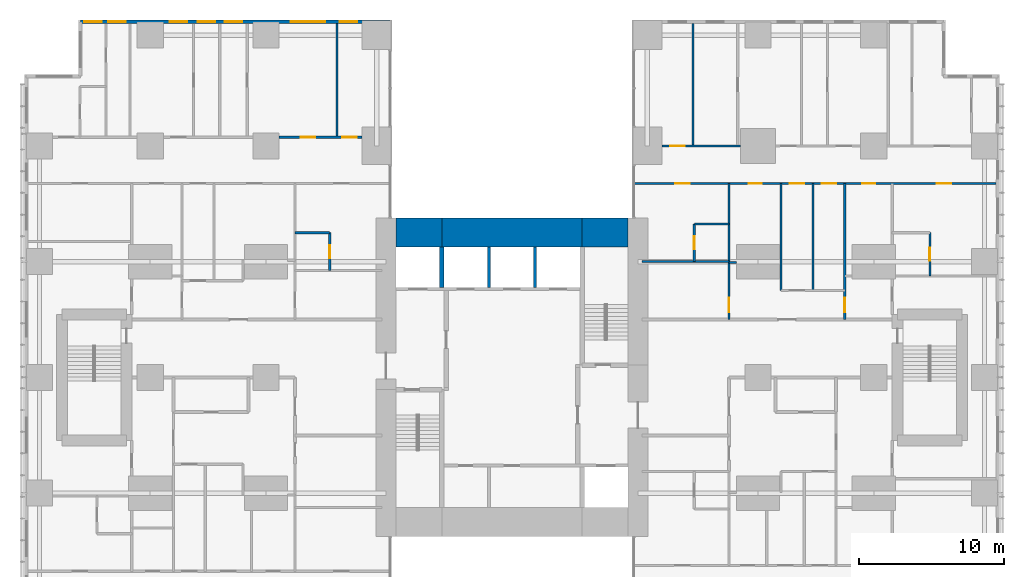
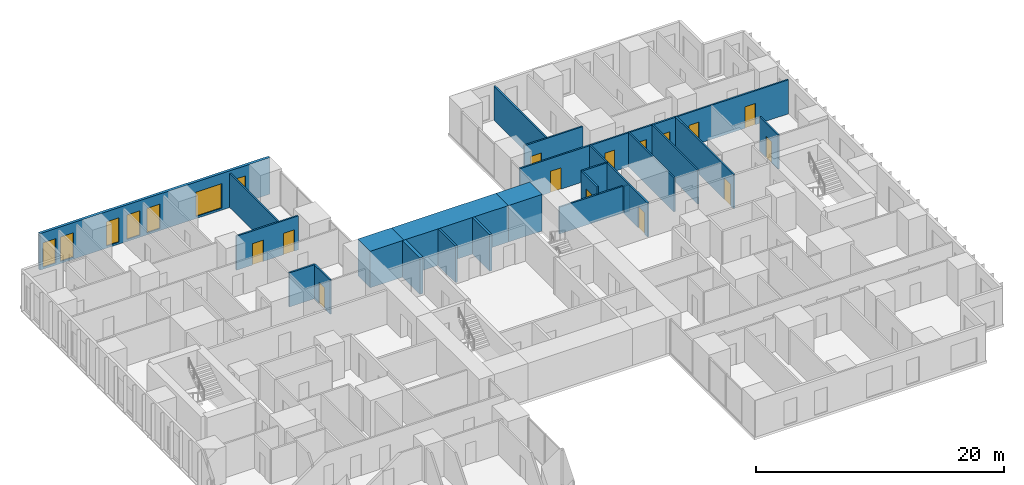
# One storey, part 17 of 20: 23 walls, 14 doors, 7 windows, 21 openings.
"""IFC4 building model written with IfcOpenShell, lengths in metres."""

import ifcopenshell
import ifcopenshell.guid

model = None  # the IFC model being written
_history = None  # IfcOwnerHistory: only IFC2X3 demands one
_inside = {}  # id of a spatial element -> (the spatial element, [elements in it])
_under = {}  # id of a project, library or spatial element -> (it, [spatial elements below it])
_declared = {}  # id of a project -> (the project, [libraries it declares])
_typed = {}  # id of a type object -> (the type object, [elements of that type])
_made_of = {}  # id of a material, layer set ... -> (it, [elements and type objects made of it])


def new_model(schema):
    """Start an empty IFC model of exactly this schema.

    Asked for "IFC4X3", IfcOpenShell would pick the latest addendum, in which some entities
    have other attributes; the version numbers below select the first issue.
    IFC2X3 requires an IfcOwnerHistory on every rooted entity: one is made here for all.
    """
    global model, _history
    if schema == "IFC4X3":
        model = ifcopenshell.file(schema_version=(4, 3, 0, 0))
    else:
        model = ifcopenshell.file(schema=schema)
    _inside.clear()
    _under.clear()
    _declared.clear()
    _typed.clear()
    _made_of.clear()
    _history = None
    if model.schema == "IFC2X3":
        org = make("IfcOrganization", Name="unknown")
        user = make(
            "IfcPersonAndOrganization",
            ThePerson=make("IfcPerson", FamilyName="unknown"),
            TheOrganization=org,
        )
        app = make(
            "IfcApplication",
            ApplicationDeveloper=org,
            Version="unknown",
            ApplicationFullName="unknown",
            ApplicationIdentifier="unknown",
        )
        _history = make(
            "IfcOwnerHistory",
            OwningUser=user,
            OwningApplication=app,
            ChangeAction="ADDED",
            CreationDate=0,
        )
    return model


def make(cls, **values):
    """One entity of the class cls with the attributes given. An attribute that is None is left unset."""
    return model.create_entity(
        cls, **{name: value for name, value in values.items() if value is not None}
    )


def rooted(cls, **values):
    """An entity with a GlobalId (a new one), such as an element, a storey or a relation."""
    return make(cls, GlobalId=ifcopenshell.guid.new(), OwnerHistory=_history, **values)


def si_unit(unit_type, name, prefix=None):
    """IfcSIUnit, for example si_unit("LENGTHUNIT", "METRE", prefix="MILLI")."""
    return make("IfcSIUnit", UnitType=unit_type, Prefix=prefix, Name=name)


def assignment(units):
    """IfcUnitAssignment: the units of a project."""
    return None if units is None else make("IfcUnitAssignment", Units=units)


def point(xyz):
    """IfcCartesianPoint."""
    return None if xyz is None else make("IfcCartesianPoint", Coordinates=xyz)


def direction(xyz):
    """IfcDirection."""
    return None if xyz is None else make("IfcDirection", DirectionRatios=xyz)


def frame(location, z_axis=None, x_axis=None):
    """IfcAxis2Placement3D, a coordinate frame: its origin and axes. An axis left out is left unset."""
    return make(
        "IfcAxis2Placement3D",
        Location=point(location),
        Axis=direction(z_axis),
        RefDirection=direction(x_axis),
    )


def frame_2d(location, x_axis=None):
    """IfcAxis2Placement2D, a coordinate frame in the plane: its origin and x axis."""
    return make(
        "IfcAxis2Placement2D", Location=point(location), RefDirection=direction(x_axis)
    )


def origin():
    """The frame at (0, 0, 0) with its axes left unset."""
    return frame((0.0, 0.0, 0.0))


def place(relative_to, where):
    """IfcLocalPlacement: puts the frame where relative to a parent placement (None: the world)."""
    return make(
        "IfcLocalPlacement", PlacementRelTo=relative_to, RelativePlacement=where
    )


def context(
    kind, dimensions, precision=None, world=None, true_north=None, identifier=None
):
    """IfcGeometricRepresentationContext, for example the 3D "Model" context."""
    return make(
        "IfcGeometricRepresentationContext",
        ContextIdentifier=identifier,
        ContextType=kind,
        CoordinateSpaceDimension=dimensions,
        Precision=precision,
        WorldCoordinateSystem=world,
        TrueNorth=true_north,
    )


def subcontext(parent, identifier, kind, view, scale=None):
    """IfcGeometricRepresentationSubContext, for example "Body" below "Model"."""
    return make(
        "IfcGeometricRepresentationSubContext",
        ContextIdentifier=identifier,
        ContextType=kind,
        ParentContext=parent,
        TargetScale=scale,
        TargetView=view,
    )


def project(units=None, contexts=None):
    """IfcProject with its units and contexts."""
    return rooted(
        "IfcProject",
        Name="project",
        RepresentationContexts=contexts,
        UnitsInContext=assignment(units),
    )


def spatial(cls, under=None, at=None, **own):
    """A site, building, storey or space (cls), placed at a placement, below another one or the project."""
    s = rooted(cls, ObjectPlacement=at, **own)
    if under is not None:
        _under.setdefault(under.id(), (under, []))[1].append(s)
    return s


def profile(cls, at=None, kind="AREA", **sizes):
    """A parametric profile (cls). Its sizes go by their IFC names, for example OverallWidth=200.0."""
    return make(cls, ProfileType=kind, Position=at, **sizes)


def rectangle(**sizes):
    """IfcRectangleProfileDef."""
    return profile("IfcRectangleProfileDef", **sizes)


def extrude(swept, where, along, depth):
    """IfcExtrudedAreaSolid: the profile swept, set in the frame where, extruded along a direction by depth."""
    return make(
        "IfcExtrudedAreaSolid",
        SweptArea=swept,
        Position=where,
        ExtrudedDirection=direction(along),
        Depth=depth,
    )


def shape(context_of_items, identifier, shape_type, items):
    """IfcShapeRepresentation: the items that make up one representation, for example the "Body"."""
    return make(
        "IfcShapeRepresentation",
        ContextOfItems=context_of_items,
        RepresentationIdentifier=identifier,
        RepresentationType=shape_type,
        Items=items,
    )


def material(Name=None, Category=None):
    """IfcMaterial."""
    return make("IfcMaterial", Name=Name, Category=Category)


def layer(
    of_material, thickness, ventilated=None, Name=None, Category=None, Priority=None
):
    """IfcMaterialLayer: one layer of a wall or slab, of a material (None: an air gap)."""
    return make(
        "IfcMaterialLayer",
        Material=of_material,
        LayerThickness=thickness,
        IsVentilated=ventilated,
        Name=Name,
        Category=Category,
        Priority=Priority,
    )


def layer_set(layers, Name=None):
    """IfcMaterialLayerSet."""
    return make("IfcMaterialLayerSet", MaterialLayers=layers, LayerSetName=Name)


def made_of(thing, what):
    """Note that an element or type object is made of a material, layer set ...; save() writes the relation."""
    if what is not None:
        _made_of.setdefault(what.id(), (what, []))[1].append(thing)
    return thing


def type_object(cls, material=None, **own):
    """A type object (cls), such as IfcWallType, which elements share."""
    return made_of(rooted(cls, **own), material)


def element(
    cls,
    number,
    at=None,
    inside=None,
    cuts=None,
    type_object=None,
    material=None,
    context=None,
    identifier="Body",
    shape_type=None,
    held_by="IfcProductDefinitionShape",
    body=None,
    shapes=None,
    **own,
):
    """One element of the class cls, such as IfcWall. Its Tag is "e" and its number.

    at: its placement. inside: the storey or other place that contains it. cuts: it is an
    opening in that element (IfcRelVoidsElement). A single representation is given by context,
    identifier, shape_type and body (its items); several are given by shapes. held_by: the class
    of the entity that holds the representations. save() writes the other relations.
    """
    e = rooted(cls, Tag="e%d" % number, ObjectPlacement=at, **own)
    if body is not None:
        shapes = [shape(context, identifier, shape_type, body)]
    if shapes is not None:
        e.Representation = make(held_by, Representations=shapes)
    if inside is not None:
        _inside.setdefault(inside.id(), (inside, []))[1].append(e)
    if cuts is not None:
        rooted(
            "IfcRelVoidsElement", RelatingBuildingElement=cuts, RelatedOpeningElement=e
        )
    if type_object is not None:
        _typed.setdefault(type_object.id(), (type_object, []))[1].append(e)
    return made_of(e, material)


def fill(opening, filler):
    """IfcRelFillsElement: the door or window that sits in an opening."""
    return rooted(
        "IfcRelFillsElement",
        RelatingOpeningElement=opening,
        RelatedBuildingElement=filler,
    )


def aggregate(whole, parts):
    """IfcRelAggregates: a whole, such as a stair, and the parts it consists of."""
    return rooted("IfcRelAggregates", RelatingObject=whole, RelatedObjects=parts)


def save(model, path):
    """Write the relations noted so far, then the file.

    IfcRelAggregates (storeys below a building ...), IfcRelContainedInSpatialStructure (elements
    in a storey), IfcRelDefinesByType, IfcRelAssociatesMaterial and IfcRelDeclares: one each for
    every whole, place, type object, material and project.
    """
    for whole, parts in _under.values():
        aggregate(whole, parts)
    for where, things in _inside.values():
        rooted(
            "IfcRelContainedInSpatialStructure",
            RelatedElements=things,
            RelatingStructure=where,
        )
    for kind, things in _typed.values():
        rooted("IfcRelDefinesByType", RelatedObjects=things, RelatingType=kind)
    for what, things in _made_of.values():
        rooted("IfcRelAssociatesMaterial", RelatedObjects=things, RelatingMaterial=what)
    for by, libraries in _declared.values():
        rooted("IfcRelDeclares", RelatingContext=by, RelatedDefinitions=libraries)
    model.write(path)


model = new_model("IFC4")

# Units and contexts
model_context = context("Model", 3, precision=1e-05, world=origin(), true_north=direction((0.0, 1.0)))
body_context = subcontext(model_context, "Body", "Model", "MODEL_VIEW")
ifc_project = project(units=[si_unit("LENGTHUNIT", "METRE"), si_unit("AREAUNIT", "SQUARE_METRE"), si_unit("VOLUMEUNIT", "CUBIC_METRE"), si_unit("PLANEANGLEUNIT", "RADIAN"), si_unit("MASSUNIT", "GRAM", prefix="KILO")], contexts=[model_context])

# Site, building, storey
site_placement = place(None, origin())
site = spatial("IfcSite", under=ifc_project, at=site_placement, CompositionType="ELEMENT")
building_placement = place(site_placement, origin())
building = spatial("IfcBuilding", under=site, at=building_placement, Name="Cleftline Residences", CompositionType="ELEMENT")
storey_placement = place(building_placement, frame((0.0, 0.0, 214.60009765625)))
storey = spatial("IfcBuildingStorey", under=building, at=storey_placement, Name="L56", CompositionType="ELEMENT", Elevation=214.60009765625)

# Walls
ifc_material_1 = material(Name="Concrete B70", Category="concrete")
ifc_layer_1 = layer(ifc_material_1, 2.0)
ifc_layer_set_1 = layer_set([ifc_layer_1], Name="CORE WALL 2000")
wall_type_1 = type_object("IfcWallType", Name="CORE WALL 2000", PredefinedType="SHEAR", material=ifc_layer_set_1)
wall_1_placement = place(storey_placement, frame((25.0, 34.0, 0.0), z_axis=(0.0, 0.0, 1.0), x_axis=(1.0, 0.0, 0.0)))
element("IfcWall", 1, at=wall_1_placement, inside=storey, type_object=wall_type_1, Name="Core wall N1", PredefinedType="SHEAR", context=body_context, shape_type="SweptSolid", body=[
    extrude(rectangle(XDim=3.14990234375, YDim=2.0, at=frame_2d((1.574951171875, 0.0))), origin(), (0.0, 0.0, 1.0), 3.599853515625),
])
wall_2_placement = place(storey_placement, frame((28.14990234375, 34.0, 0.0), z_axis=(0.0, 0.0, 1.0), x_axis=(1.0, 0.0, 0.0)))
element("IfcWall", 2, at=wall_2_placement, inside=storey, type_object=wall_type_1, Name="Core wall N2", PredefinedType="SHEAR", context=body_context, shape_type="SweptSolid", body=[
    extrude(rectangle(XDim=9.7001953125, YDim=2.0, at=frame_2d((4.85009765625, 0.0))), origin(), (0.0, 0.0, 1.0), 3.599853515625),
])
wall_3_placement = place(storey_placement, frame((37.85009765625, 34.0, 0.0), z_axis=(0.0, 0.0, 1.0), x_axis=(1.0, 0.0, 0.0)))
element("IfcWall", 3, at=wall_3_placement, inside=storey, type_object=wall_type_1, Name="Core wall N3", PredefinedType="SHEAR", context=body_context, shape_type="SweptSolid", body=[
    extrude(rectangle(XDim=3.14990234375, YDim=2.0, at=frame_2d((1.574951171875, 0.0))), origin(), (0.0, 0.0, 1.0), 3.599853515625),
])
ifc_material_2 = material(Name="Concrete B70", Category="concrete")
ifc_layer_2 = layer(ifc_material_2, 0.300048828125)
ifc_layer_set_2 = layer_set([ifc_layer_2], Name="CORE WALL 300")
wall_type_2 = type_object("IfcWallType", Name="CORE WALL 300", PredefinedType="SHEAR", material=ifc_layer_set_2)
wall_4_placement = place(storey_placement, frame((28.14990234375, 30.199951171875, 0.0), z_axis=(0.0, 0.0, 1.0), x_axis=(0.0, 1.0, 0.0)))
element("IfcWall", 4, at=wall_4_placement, inside=storey, type_object=wall_type_2, Name="Lift shaft wall", PredefinedType="SHEAR", context=body_context, shape_type="SweptSolid", body=[
    extrude(rectangle(XDim=2.800048828125, YDim=0.300048828125, at=frame_2d((1.39990234375, 0.0))), origin(), (0.0, 0.0, 1.0), 3.599853515625),
])

# Wall, openings, windows
ifc_material_3 = material(Name="Rendered reinforced concrete blockwork", Category="masonry")
ifc_layer_3 = layer(ifc_material_3, 0.25)
ifc_layer_set_3 = layer_set([ifc_layer_3], Name="EXTERNAL WALL 250")
wall_type_3 = type_object("IfcWallType", Name="EXTERNAL WALL 250", PredefinedType="SOLIDWALL", material=ifc_layer_set_3)
wall_5_placement = place(storey_placement, frame((24.574951171875, 48.574951171875, 0.0), z_axis=(0.0, 0.0, 1.0), x_axis=(-1.0, 0.0, 0.0)))
wall_5 = element("IfcWall", 5, at=wall_5_placement, inside=storey, type_object=wall_type_3, Name="External wall", PredefinedType="SOLIDWALL", context=body_context, shape_type="SweptSolid", body=[
    extrude(rectangle(XDim=21.39990234375, YDim=0.25, at=frame_2d((10.699951171875, 0.0))), origin(), (0.0, 0.0, 1.0), 3.599853515625),
])
opening_1_placement = place(wall_5_placement, frame((2.27490234375, 0.0, 0.199951171875)))
opening_1 = element("IfcOpeningElement", 6, at=opening_1_placement, cuts=wall_5, Name="Opening W13", PredefinedType="OPENING", context=body_context, shape_type="SweptSolid", body=[
    extrude(rectangle(XDim=1.199951171875, YDim=2.39990234375, at=frame_2d((0.60009765625, 1.199951171875))), frame((0.0, 0.135009765625, 0.0), z_axis=(0.0, -1.0, 0.0), x_axis=(1.0, 0.0, 0.0)), (0.0, 0.0, 1.0), 0.27001953125),
])
opening_2_placement = place(wall_5_placement, frame((4.47509765625, 0.0, 0.199951171875)))
opening_2 = element("IfcOpeningElement", 7, at=opening_2_placement, cuts=wall_5, Name="Opening W9", PredefinedType="OPENING", context=body_context, shape_type="SweptSolid", body=[
    extrude(rectangle(XDim=2.39990234375, YDim=2.39990234375, at=frame_2d((1.199951171875, 1.199951171875))), frame((0.0, 0.135009765625, 0.0), z_axis=(0.0, -1.0, 0.0), x_axis=(1.0, 0.0, 0.0)), (0.0, 0.0, 1.0), 0.27001953125),
])
opening_3_placement = place(wall_5_placement, frame((10.22509765625, 0.0, 0.199951171875)))
opening_3 = element("IfcOpeningElement", 8, at=opening_3_placement, cuts=wall_5, Name="Opening W13", PredefinedType="OPENING", context=body_context, shape_type="SweptSolid", body=[
    extrude(rectangle(XDim=1.199951171875, YDim=2.39990234375, at=frame_2d((0.60009765625, 1.199951171875))), frame((0.0, 0.135009765625, 0.0), z_axis=(0.0, -1.0, 0.0), x_axis=(1.0, 0.0, 0.0)), (0.0, 0.0, 1.0), 0.27001953125),
])
opening_4_placement = place(wall_5_placement, frame((12.074951171875, 0.0, 0.199951171875)))
opening_4 = element("IfcOpeningElement", 9, at=opening_4_placement, cuts=wall_5, Name="Opening W13", PredefinedType="OPENING", context=body_context, shape_type="SweptSolid", body=[
    extrude(rectangle(XDim=1.199951171875, YDim=2.39990234375, at=frame_2d((0.60009765625, 1.199951171875))), frame((0.0, 0.135009765625, 0.0), z_axis=(0.0, -1.0, 0.0), x_axis=(1.0, 0.0, 0.0)), (0.0, 0.0, 1.0), 0.27001953125),
])
opening_5_placement = place(wall_5_placement, frame((14.02490234375, 0.0, 0.199951171875)))
opening_5 = element("IfcOpeningElement", 10, at=opening_5_placement, cuts=wall_5, Name="Opening W13", PredefinedType="OPENING", context=body_context, shape_type="SweptSolid", body=[
    extrude(rectangle(XDim=1.199951171875, YDim=2.39990234375, at=frame_2d((0.60009765625, 1.199951171875))), frame((0.0, 0.135009765625, 0.0), z_axis=(0.0, -1.0, 0.0), x_axis=(1.0, 0.0, 0.0)), (0.0, 0.0, 1.0), 0.27001953125),
])
opening_6_placement = place(wall_5_placement, frame((18.27490234375, 0.0, 0.199951171875)))
opening_6 = element("IfcOpeningElement", 11, at=opening_6_placement, cuts=wall_5, Name="Opening W13", PredefinedType="OPENING", context=body_context, shape_type="SweptSolid", body=[
    extrude(rectangle(XDim=1.199951171875, YDim=2.39990234375, at=frame_2d((0.60009765625, 1.199951171875))), frame((0.0, 0.135009765625, 0.0), z_axis=(0.0, -1.0, 0.0), x_axis=(1.0, 0.0, 0.0)), (0.0, 0.0, 1.0), 0.27001953125),
])
opening_7_placement = place(wall_5_placement, frame((19.925048828125, 0.0, 0.199951171875)))
opening_7 = element("IfcOpeningElement", 12, at=opening_7_placement, cuts=wall_5, Name="Opening W13", PredefinedType="OPENING", context=body_context, shape_type="SweptSolid", body=[
    extrude(rectangle(XDim=1.199951171875, YDim=2.39990234375, at=frame_2d((0.60009765625, 1.199951171875))), frame((0.0, 0.135009765625, 0.0), z_axis=(0.0, -1.0, 0.0), x_axis=(1.0, 0.0, 0.0)), (0.0, 0.0, 1.0), 0.27001953125),
])
ifc_material_4 = material(Name="Aluminium frame, clear double glazing", Category="aluminium")
window_type_1 = type_object("IfcWindowType", Name="WINDOW 1200X2400", PartitioningType="DOUBLE_PANEL_VERTICAL", PredefinedType="WINDOW", material=ifc_material_4)
window_1_placement = place(opening_1_placement, origin())
window_1 = element("IfcWindow", 13, at=window_1_placement, inside=storey, type_object=window_type_1, Name="Window", OverallHeight=2.39990234375, OverallWidth=1.199951171875, PartitioningType="SINGLE_PANEL", PredefinedType="WINDOW", context=body_context, shape_type="SweptSolid", body=[
    extrude(rectangle(XDim=1.199951171875, YDim=2.39990234375, at=frame_2d((0.60009765625, 1.199951171875))), frame((0.0, 0.030029296875, 0.0), z_axis=(0.0, -1.0, 0.0), x_axis=(1.0, 0.0, 0.0)), (0.0, 0.0, 1.0), 0.06005859375),
])
fill(opening_1, window_1)
window_2_placement = place(opening_3_placement, origin())
window_2 = element("IfcWindow", 14, at=window_2_placement, inside=storey, type_object=window_type_1, Name="Window", OverallHeight=2.39990234375, OverallWidth=1.199951171875, PartitioningType="SINGLE_PANEL", PredefinedType="WINDOW", context=body_context, shape_type="SweptSolid", body=[
    extrude(rectangle(XDim=1.199951171875, YDim=2.39990234375, at=frame_2d((0.60009765625, 1.199951171875))), frame((0.0, 0.030029296875, 0.0), z_axis=(0.0, -1.0, 0.0), x_axis=(1.0, 0.0, 0.0)), (0.0, 0.0, 1.0), 0.06005859375),
])
fill(opening_3, window_2)
window_3_placement = place(opening_4_placement, origin())
window_3 = element("IfcWindow", 15, at=window_3_placement, inside=storey, type_object=window_type_1, Name="Window", OverallHeight=2.39990234375, OverallWidth=1.199951171875, PartitioningType="SINGLE_PANEL", PredefinedType="WINDOW", context=body_context, shape_type="SweptSolid", body=[
    extrude(rectangle(XDim=1.199951171875, YDim=2.39990234375, at=frame_2d((0.60009765625, 1.199951171875))), frame((0.0, 0.030029296875, 0.0), z_axis=(0.0, -1.0, 0.0), x_axis=(1.0, 0.0, 0.0)), (0.0, 0.0, 1.0), 0.06005859375),
])
fill(opening_4, window_3)
window_4_placement = place(opening_5_placement, origin())
window_4 = element("IfcWindow", 16, at=window_4_placement, inside=storey, type_object=window_type_1, Name="Window", OverallHeight=2.39990234375, OverallWidth=1.199951171875, PartitioningType="SINGLE_PANEL", PredefinedType="WINDOW", context=body_context, shape_type="SweptSolid", body=[
    extrude(rectangle(XDim=1.199951171875, YDim=2.39990234375, at=frame_2d((0.60009765625, 1.199951171875))), frame((0.0, 0.030029296875, 0.0), z_axis=(0.0, -1.0, 0.0), x_axis=(1.0, 0.0, 0.0)), (0.0, 0.0, 1.0), 0.06005859375),
])
fill(opening_5, window_4)
window_5_placement = place(opening_6_placement, origin())
window_5 = element("IfcWindow", 17, at=window_5_placement, inside=storey, type_object=window_type_1, Name="Window", OverallHeight=2.39990234375, OverallWidth=1.199951171875, PartitioningType="SINGLE_PANEL", PredefinedType="WINDOW", context=body_context, shape_type="SweptSolid", body=[
    extrude(rectangle(XDim=1.199951171875, YDim=2.39990234375, at=frame_2d((0.60009765625, 1.199951171875))), frame((0.0, 0.030029296875, 0.0), z_axis=(0.0, -1.0, 0.0), x_axis=(1.0, 0.0, 0.0)), (0.0, 0.0, 1.0), 0.06005859375),
])
fill(opening_6, window_5)
window_6_placement = place(opening_7_placement, origin())
window_6 = element("IfcWindow", 18, at=window_6_placement, inside=storey, type_object=window_type_1, Name="Window", OverallHeight=2.39990234375, OverallWidth=1.199951171875, PartitioningType="SINGLE_PANEL", PredefinedType="WINDOW", context=body_context, shape_type="SweptSolid", body=[
    extrude(rectangle(XDim=1.199951171875, YDim=2.39990234375, at=frame_2d((0.60009765625, 1.199951171875))), frame((0.0, 0.030029296875, 0.0), z_axis=(0.0, -1.0, 0.0), x_axis=(1.0, 0.0, 0.0)), (0.0, 0.0, 1.0), 0.06005859375),
])
fill(opening_7, window_6)
ifc_material_5 = material(Name="Aluminium frame, clear double glazing", Category="aluminium")
window_type_2 = type_object("IfcWindowType", Name="WINDOW 2400X2400", PartitioningType="DOUBLE_PANEL_VERTICAL", PredefinedType="WINDOW", material=ifc_material_5)
window_7_placement = place(opening_2_placement, origin())
window_7 = element("IfcWindow", 19, at=window_7_placement, inside=storey, type_object=window_type_2, Name="Window", OverallHeight=2.39990234375, OverallWidth=2.39990234375, PartitioningType="SINGLE_PANEL", PredefinedType="WINDOW", context=body_context, shape_type="SweptSolid", body=[
    extrude(rectangle(XDim=2.39990234375, YDim=2.39990234375, at=frame_2d((1.199951171875, 1.199951171875))), frame((0.0, 0.030029296875, 0.0), z_axis=(0.0, -1.0, 0.0), x_axis=(1.0, 0.0, 0.0)), (0.0, 0.0, 1.0), 0.06005859375),
])
fill(opening_2, window_7)

# Walls
ifc_material_6 = material(Name="Gypsum board on steel studs", Category="steel")
ifc_layer_4 = layer(ifc_material_6, 0.14990234375)
ifc_layer_set_4 = layer_set([ifc_layer_4], Name="PARTITION 150")
wall_type_4 = type_object("IfcWallType", Name="PARTITION 150", PredefinedType="PARTITIONING", material=ifc_layer_set_4)
wall_6_placement = place(storey_placement, frame((48.0, 31.949951171875, 0.0), z_axis=(0.0, 0.0, 1.0), x_axis=(1.0, 0.0, 0.0)))
element("IfcWall", 20, at=wall_6_placement, inside=storey, type_object=wall_type_4, Name="Partition", PredefinedType="PARTITIONING", context=body_context, shape_type="SweptSolid", body=[
    extrude(rectangle(XDim=0.5, YDim=0.14990234375, at=frame_2d((0.25, 0.0))), origin(), (0.0, 0.0, 1.0), 2.6337890625),
])
wall_7_placement = place(storey_placement, frame((42.0, 32.0, 0.0), z_axis=(0.0, 0.0, 1.0), x_axis=(1.0, 0.0, 0.0)))
element("IfcWall", 21, at=wall_7_placement, inside=storey, type_object=wall_type_4, Name="Partition", PredefinedType="PARTITIONING", context=body_context, shape_type="SweptSolid", body=[
    extrude(rectangle(XDim=6.0, YDim=0.14990234375, at=frame_2d((3.0, 0.0))), origin(), (0.0, 0.0, 1.0), 2.6337890625),
])
for number, where, z_axis, x_axis, name in (
    (22, (18.0, 34.0, 0.0), (0.0, 0.0, 1.0), (1.0, 0.0, 0.0), "Partition"),
    (23, (45.60009765625, 34.60009765625, 0.0), (0.0, 0.0, 1.0), (1.0, 0.0, 0.0), "Partition"),
):
    element("IfcWall", number, at=place(storey_placement, frame(where, z_axis=z_axis, x_axis=x_axis)), inside=storey, type_object=wall_type_4, Name=name, PredefinedType="PARTITIONING", context=body_context, shape_type="SweptSolid", body=[
        extrude(rectangle(XDim=2.39990234375, YDim=0.14990234375, at=frame_2d((1.199951171875, 0.0))), origin(), (0.0, 0.0, 1.0), 3.349853515625),
    ])

# Wall, openings, doors
wall_8_placement = place(storey_placement, frame((41.43896484375, 37.39990234375, 0.0), z_axis=(0.0, 0.0, 1.0), x_axis=(1.0, 0.0, 0.0)))
wall_8 = element("IfcWall", 24, at=wall_8_placement, inside=storey, type_object=wall_type_4, Name="Partition", PredefinedType="PARTITIONING", context=body_context, shape_type="SweptSolid", body=[
    extrude(rectangle(XDim=25.010986328125, YDim=0.14990234375, at=frame_2d((12.50537109375, 0.0))), origin(), (0.0, 0.0, 1.0), 3.349853515625),
])
opening_8_placement = place(wall_8_placement, frame((10.760986328125, 0.0, 0.0)))
opening_8 = element("IfcOpeningElement", 25, at=opening_8_placement, cuts=wall_8, Name="Opening D2", PredefinedType="OPENING", context=body_context, shape_type="SweptSolid", body=[
    extrude(rectangle(XDim=1.0, YDim=2.10009765625, at=frame_2d((0.5, 1.050048828125))), frame((0.0, 0.0849609375, 0.0), z_axis=(0.0, -1.0, 0.0), x_axis=(1.0, 0.0, 0.0)), (0.0, 0.0, 1.0), 0.169921875),
])
opening_9_placement = place(wall_8_placement, frame((20.923583984375, 0.0, 0.0)))
opening_9 = element("IfcOpeningElement", 26, at=opening_9_placement, cuts=wall_8, Name="Opening D2", PredefinedType="OPENING", context=body_context, shape_type="SweptSolid", body=[
    extrude(rectangle(XDim=1.0, YDim=2.10009765625, at=frame_2d((0.5, 1.050048828125))), frame((0.0, 0.0849609375, 0.0), z_axis=(0.0, -1.0, 0.0), x_axis=(1.0, 0.0, 0.0)), (0.0, 0.0, 1.0), 0.169921875),
])
opening_10_placement = place(wall_8_placement, frame((15.74853515625, 0.0, 0.0)))
opening_10 = element("IfcOpeningElement", 27, at=opening_10_placement, cuts=wall_8, Name="Opening D1", PredefinedType="OPENING", context=body_context, shape_type="SweptSolid", body=[
    extrude(rectangle(XDim=0.89990234375, YDim=2.10009765625, at=frame_2d((0.449951171875, 1.050048828125))), frame((0.0, 0.0849609375, 0.0), z_axis=(0.0, -1.0, 0.0), x_axis=(1.0, 0.0, 0.0)), (0.0, 0.0, 1.0), 0.169921875),
])
opening_11_placement = place(wall_8_placement, frame((12.9609375, 0.0, 0.0)))
opening_11 = element("IfcOpeningElement", 28, at=opening_11_placement, cuts=wall_8, Name="Opening D2", PredefinedType="OPENING", context=body_context, shape_type="SweptSolid", body=[
    extrude(rectangle(XDim=1.0, YDim=2.10009765625, at=frame_2d((0.5, 1.050048828125))), frame((0.0, 0.0849609375, 0.0), z_axis=(0.0, -1.0, 0.0), x_axis=(1.0, 0.0, 0.0)), (0.0, 0.0, 1.0), 0.169921875),
])
opening_12_placement = place(wall_8_placement, frame((7.910888671875, 0.0, 0.0)))
opening_12 = element("IfcOpeningElement", 29, at=opening_12_placement, cuts=wall_8, Name="Opening D1", PredefinedType="OPENING", context=body_context, shape_type="SweptSolid", body=[
    extrude(rectangle(XDim=0.89990234375, YDim=2.10009765625, at=frame_2d((0.449951171875, 1.050048828125))), frame((0.0, 0.0849609375, 0.0), z_axis=(0.0, -1.0, 0.0), x_axis=(1.0, 0.0, 0.0)), (0.0, 0.0, 1.0), 0.169921875),
])
opening_13_placement = place(wall_8_placement, frame((2.8359375, 0.0, 0.0)))
opening_13 = element("IfcOpeningElement", 30, at=opening_13_placement, cuts=wall_8, Name="Opening D2", PredefinedType="OPENING", context=body_context, shape_type="SweptSolid", body=[
    extrude(rectangle(XDim=1.0, YDim=2.10009765625, at=frame_2d((0.5, 1.050048828125))), frame((0.0, 0.0849609375, 0.0), z_axis=(0.0, -1.0, 0.0), x_axis=(1.0, 0.0, 0.0)), (0.0, 0.0, 1.0), 0.169921875),
])
ifc_material_7 = material(Name="Timber veneer on solid core", Category="wood")
door_type_1 = type_object("IfcDoorType", Name="DOOR 1000X2100", OperationType="SINGLE_SWING_LEFT", PredefinedType="DOOR", material=ifc_material_7)
door_1_placement = place(opening_8_placement, origin())
door_1 = element("IfcDoor", 31, at=door_1_placement, inside=storey, type_object=door_type_1, Name="Door to residence hall", OperationType="SINGLE_SWING_RIGHT", OverallHeight=2.10009765625, OverallWidth=1.0, PredefinedType="DOOR", context=body_context, shape_type="SweptSolid", body=[
    extrude(rectangle(XDim=1.0, YDim=2.10009765625, at=frame_2d((0.5, 1.050048828125))), frame((0.0, 0.02490234375, 0.0), z_axis=(0.0, -1.0, 0.0), x_axis=(1.0, 0.0, 0.0)), (0.0, 0.0, 1.0), 0.050048828125),
])
fill(opening_8, door_1)
door_2_placement = place(opening_9_placement, origin())
door_2 = element("IfcDoor", 32, at=door_2_placement, inside=storey, type_object=door_type_1, Name="Door to master bedroom", OperationType="SINGLE_SWING_LEFT", OverallHeight=2.10009765625, OverallWidth=1.0, PredefinedType="DOOR", context=body_context, shape_type="SweptSolid", body=[
    extrude(rectangle(XDim=1.0, YDim=2.10009765625, at=frame_2d((0.5, 1.050048828125))), frame((0.0, 0.02490234375, 0.0), z_axis=(0.0, -1.0, 0.0), x_axis=(1.0, 0.0, 0.0)), (0.0, 0.0, 1.0), 0.050048828125),
])
fill(opening_9, door_2)
door_3_placement = place(opening_11_placement, origin())
door_3 = element("IfcDoor", 33, at=door_3_placement, inside=storey, type_object=door_type_1, Name="Door to media room", OperationType="SINGLE_SWING_LEFT", OverallHeight=2.10009765625, OverallWidth=1.0, PredefinedType="DOOR", context=body_context, shape_type="SweptSolid", body=[
    extrude(rectangle(XDim=1.0, YDim=2.10009765625, at=frame_2d((0.5, 1.050048828125))), frame((0.0, 0.02490234375, 0.0), z_axis=(0.0, -1.0, 0.0), x_axis=(1.0, 0.0, 0.0)), (0.0, 0.0, 1.0), 0.050048828125),
])
fill(opening_11, door_3)
door_4_placement = place(opening_13_placement, origin())
door_4 = element("IfcDoor", 34, at=door_4_placement, inside=storey, type_object=door_type_1, Name="Door to bedroom 5", OperationType="SINGLE_SWING_RIGHT", OverallHeight=2.10009765625, OverallWidth=1.0, PredefinedType="DOOR", context=body_context, shape_type="SweptSolid", body=[
    extrude(rectangle(XDim=1.0, YDim=2.10009765625, at=frame_2d((0.5, 1.050048828125))), frame((0.0, 0.02490234375, 0.0), z_axis=(0.0, -1.0, 0.0), x_axis=(1.0, 0.0, 0.0)), (0.0, 0.0, 1.0), 0.050048828125),
])
fill(opening_13, door_4)
ifc_material_8 = material(Name="Timber veneer on solid core", Category="wood")
door_type_2 = type_object("IfcDoorType", Name="DOOR 900X2100", OperationType="SINGLE_SWING_LEFT", PredefinedType="DOOR", material=ifc_material_8)
door_5_placement = place(opening_10_placement, origin())
door_5 = element("IfcDoor", 35, at=door_5_placement, inside=storey, type_object=door_type_2, Name="Door to bedroom 2 bathroom", OperationType="SINGLE_SWING_LEFT", OverallHeight=2.10009765625, OverallWidth=0.89990234375, PredefinedType="DOOR", context=body_context, shape_type="SweptSolid", body=[
    extrude(rectangle(XDim=0.89990234375, YDim=2.10009765625, at=frame_2d((0.449951171875, 1.050048828125))), frame((0.0, 0.02490234375, 0.0), z_axis=(0.0, -1.0, 0.0), x_axis=(1.0, 0.0, 0.0)), (0.0, 0.0, 1.0), 0.050048828125),
])
fill(opening_10, door_5)
door_6_placement = place(opening_12_placement, origin())
door_6 = element("IfcDoor", 36, at=door_6_placement, inside=storey, type_object=door_type_2, Name="Door to linen store", OperationType="SINGLE_SWING_RIGHT", OverallHeight=2.10009765625, OverallWidth=0.89990234375, PredefinedType="DOOR", context=body_context, shape_type="SweptSolid", body=[
    extrude(rectangle(XDim=0.89990234375, YDim=2.10009765625, at=frame_2d((0.449951171875, 1.050048828125))), frame((0.0, 0.02490234375, 0.0), z_axis=(0.0, -1.0, 0.0), x_axis=(1.0, 0.0, 0.0)), (0.0, 0.0, 1.0), 0.050048828125),
])
fill(opening_12, door_6)

# Wall, opening, door
wall_9_placement = place(storey_placement, frame((43.35009765625, 40.0, 0.0), z_axis=(0.0, 0.0, 1.0), x_axis=(1.0, 0.0, 0.0)))
wall_9 = element("IfcWall", 37, at=wall_9_placement, inside=storey, type_object=wall_type_4, Name="Partition", PredefinedType="PARTITIONING", context=body_context, shape_type="SweptSolid", body=[
    extrude(rectangle(XDim=5.449951171875, YDim=0.14990234375, at=frame_2d((2.72509765625, 0.0))), origin(), (0.0, 0.0, 1.0), 3.349853515625),
])
opening_14_placement = place(wall_9_placement, frame((0.574951171875, 0.0, 0.0)))
opening_14 = element("IfcOpeningElement", 38, at=opening_14_placement, cuts=wall_9, Name="Opening D2", PredefinedType="OPENING", context=body_context, shape_type="SweptSolid", body=[
    extrude(rectangle(XDim=1.0, YDim=2.10009765625, at=frame_2d((0.5, 1.050048828125))), frame((0.0, 0.0849609375, 0.0), z_axis=(0.0, -1.0, 0.0), x_axis=(1.0, 0.0, 0.0)), (0.0, 0.0, 1.0), 0.169921875),
])
door_7_placement = place(opening_14_placement, origin())
door_7 = element("IfcDoor", 39, at=door_7_placement, inside=storey, type_object=door_type_1, Name="Door to family room", OperationType="SINGLE_SWING_RIGHT", OverallHeight=2.10009765625, OverallWidth=1.0, PredefinedType="DOOR", context=body_context, shape_type="SweptSolid", body=[
    extrude(rectangle(XDim=1.0, YDim=2.10009765625, at=frame_2d((0.5, 1.050048828125))), frame((0.0, 0.02490234375, 0.0), z_axis=(0.0, -1.0, 0.0), x_axis=(1.0, 0.0, 0.0)), (0.0, 0.0, 1.0), 0.050048828125),
])
fill(opening_14, door_7)

# Wall, openings, doors
wall_10_placement = place(storey_placement, frame((16.89990234375, 40.60009765625, 0.0), z_axis=(0.0, 0.0, 1.0), x_axis=(1.0, 0.0, 0.0)))
wall_10 = element("IfcWall", 40, at=wall_10_placement, inside=storey, type_object=wall_type_4, Name="Partition", PredefinedType="PARTITIONING", context=body_context, shape_type="SweptSolid", body=[
    extrude(rectangle(XDim=5.75, YDim=0.14990234375, at=frame_2d((2.875, 0.0))), origin(), (0.0, 0.0, 1.0), 3.349853515625),
])
opening_15_placement = place(wall_10_placement, frame((1.5, 0.0, 0.0)))
opening_15 = element("IfcOpeningElement", 41, at=opening_15_placement, cuts=wall_10, Name="Opening D2", PredefinedType="OPENING", context=body_context, shape_type="SweptSolid", body=[
    extrude(rectangle(XDim=1.0, YDim=2.10009765625, at=frame_2d((0.5, 1.050048828125))), frame((0.0, 0.0849609375, 0.0), z_axis=(0.0, -1.0, 0.0), x_axis=(1.0, 0.0, 0.0)), (0.0, 0.0, 1.0), 0.169921875),
])
opening_16_placement = place(wall_10_placement, frame((4.375, 0.0, 0.0)))
opening_16 = element("IfcOpeningElement", 42, at=opening_16_placement, cuts=wall_10, Name="Opening D2", PredefinedType="OPENING", context=body_context, shape_type="SweptSolid", body=[
    extrude(rectangle(XDim=1.0, YDim=2.10009765625, at=frame_2d((0.5, 1.050048828125))), frame((0.0, 0.0849609375, 0.0), z_axis=(0.0, -1.0, 0.0), x_axis=(1.0, 0.0, 0.0)), (0.0, 0.0, 1.0), 0.169921875),
])
door_8_placement = place(opening_15_placement, origin())
door_8 = element("IfcDoor", 43, at=door_8_placement, inside=storey, type_object=door_type_1, Name="Door to master bedroom", OperationType="SINGLE_SWING_RIGHT", OverallHeight=2.10009765625, OverallWidth=1.0, PredefinedType="DOOR", context=body_context, shape_type="SweptSolid", body=[
    extrude(rectangle(XDim=1.0, YDim=2.10009765625, at=frame_2d((0.5, 1.050048828125))), frame((0.0, 0.02490234375, 0.0), z_axis=(0.0, -1.0, 0.0), x_axis=(1.0, 0.0, 0.0)), (0.0, 0.0, 1.0), 0.050048828125),
])
fill(opening_15, door_8)
door_9_placement = place(opening_16_placement, origin())
door_9 = element("IfcDoor", 44, at=door_9_placement, inside=storey, type_object=door_type_1, Name="Door to master sitting room", OperationType="SINGLE_SWING_LEFT", OverallHeight=2.10009765625, OverallWidth=1.0, PredefinedType="DOOR", context=body_context, shape_type="SweptSolid", body=[
    extrude(rectangle(XDim=1.0, YDim=2.10009765625, at=frame_2d((0.5, 1.050048828125))), frame((0.0, 0.02490234375, 0.0), z_axis=(0.0, -1.0, 0.0), x_axis=(1.0, 0.0, 0.0)), (0.0, 0.0, 1.0), 0.050048828125),
])
fill(opening_16, door_9)

# Wall, opening, door
wall_11_placement = place(storey_placement, frame((20.39990234375, 31.39990234375, 0.0), z_axis=(0.0, 0.0, 1.0), x_axis=(0.0, 1.0, 0.0)))
wall_11 = element("IfcWall", 45, at=wall_11_placement, inside=storey, type_object=wall_type_4, Name="Partition", PredefinedType="PARTITIONING", context=body_context, shape_type="SweptSolid", body=[
    extrude(rectangle(XDim=2.60009765625, YDim=0.14990234375, at=frame_2d((1.300048828125, 0.0))), origin(), (0.0, 0.0, 1.0), 3.349853515625),
])
opening_17_placement = place(wall_11_placement, frame((0.85009765625, 0.0, 0.0)))
opening_17 = element("IfcOpeningElement", 46, at=opening_17_placement, cuts=wall_11, Name="Opening D1", PredefinedType="OPENING", context=body_context, shape_type="SweptSolid", body=[
    extrude(rectangle(XDim=0.89990234375, YDim=2.10009765625, at=frame_2d((0.449951171875, 1.050048828125))), frame((0.0, 0.0849609375, 0.0), z_axis=(0.0, -1.0, 0.0), x_axis=(1.0, 0.0, 0.0)), (0.0, 0.0, 1.0), 0.169921875),
])
door_10_placement = place(opening_17_placement, origin())
door_10 = element("IfcDoor", 47, at=door_10_placement, inside=storey, type_object=door_type_2, Name="Door to en-suite bathroom 4", OperationType="SINGLE_SWING_LEFT", OverallHeight=2.10009765625, OverallWidth=0.89990234375, PredefinedType="DOOR", context=body_context, shape_type="SweptSolid", body=[
    extrude(rectangle(XDim=0.89990234375, YDim=2.10009765625, at=frame_2d((0.449951171875, 1.050048828125))), frame((0.0, 0.02490234375, 0.0), z_axis=(0.0, -1.0, 0.0), x_axis=(1.0, 0.0, 0.0)), (0.0, 0.0, 1.0), 0.050048828125),
])
fill(opening_17, door_10)

# Walls
wall_12_placement = place(storey_placement, frame((20.89990234375, 40.60009765625, 0.0), z_axis=(0.0, 0.0, 1.0), x_axis=(0.0, 1.0, 0.0)))
element("IfcWall", 48, at=wall_12_placement, inside=storey, type_object=wall_type_4, Name="Partition", PredefinedType="PARTITIONING", context=body_context, shape_type="SweptSolid", body=[
    extrude(rectangle(XDim=7.849853515625, YDim=0.14990234375, at=frame_2d((3.9248046875, 0.0))), origin(), (0.0, 0.0, 1.0), 3.349853515625),
])
wall_13_placement = place(storey_placement, frame((45.5, 40.0, 0.0), z_axis=(0.0, 0.0, 1.0), x_axis=(0.0, 1.0, 0.0)))
element("IfcWall", 49, at=wall_13_placement, inside=storey, type_object=wall_type_4, Name="Partition", PredefinedType="PARTITIONING", context=body_context, shape_type="SweptSolid", body=[
    extrude(rectangle(XDim=8.449951171875, YDim=0.14990234375, at=frame_2d((4.22509765625, 0.0))), origin(), (0.0, 0.0, 1.0), 3.349853515625),
])

# Wall, opening, door
wall_14_placement = place(storey_placement, frame((45.60009765625, 32.0, 0.0), z_axis=(0.0, 0.0, 1.0), x_axis=(0.0, 1.0, 0.0)))
wall_14 = element("IfcWall", 50, at=wall_14_placement, inside=storey, type_object=wall_type_4, Name="Partition", PredefinedType="PARTITIONING", context=body_context, shape_type="SweptSolid", body=[
    extrude(rectangle(XDim=2.60009765625, YDim=0.14990234375, at=frame_2d((1.300048828125, 0.0))), origin(), (0.0, 0.0, 1.0), 3.349853515625),
])
opening_18_placement = place(wall_14_placement, frame((0.85009765625, 0.0, 0.0)))
opening_18 = element("IfcOpeningElement", 51, at=opening_18_placement, cuts=wall_14, Name="Opening D1", PredefinedType="OPENING", context=body_context, shape_type="SweptSolid", body=[
    extrude(rectangle(XDim=0.89990234375, YDim=2.10009765625, at=frame_2d((0.449951171875, 1.050048828125))), frame((0.0, 0.0849609375, 0.0), z_axis=(0.0, -1.0, 0.0), x_axis=(1.0, 0.0, 0.0)), (0.0, 0.0, 1.0), 0.169921875),
])
door_11_placement = place(opening_18_placement, origin())
door_11 = element("IfcDoor", 52, at=door_11_placement, inside=storey, type_object=door_type_2, Name="Door to en-suite bathroom 5", OperationType="SINGLE_SWING_LEFT", OverallHeight=2.10009765625, OverallWidth=0.89990234375, PredefinedType="DOOR", context=body_context, shape_type="SweptSolid", body=[
    extrude(rectangle(XDim=0.89990234375, YDim=2.10009765625, at=frame_2d((0.449951171875, 1.050048828125))), frame((0.0, 0.02490234375, 0.0), z_axis=(0.0, -1.0, 0.0), x_axis=(1.0, 0.0, 0.0)), (0.0, 0.0, 1.0), 0.050048828125),
])
fill(opening_18, door_11)

wall_15_placement = place(storey_placement, frame((48.0, 28.0, 0.0), z_axis=(0.0, 0.0, 1.0), x_axis=(0.0, 1.0, 0.0)))
wall_15 = element("IfcWall", 53, at=wall_15_placement, inside=storey, type_object=wall_type_4, Name="Partition", PredefinedType="PARTITIONING", context=body_context, shape_type="SweptSolid", body=[
    extrude(rectangle(XDim=9.39990234375, YDim=0.14990234375, at=frame_2d((4.699951171875, 0.0))), origin(), (0.0, 0.0, 1.0), 3.349853515625),
])
opening_19_placement = place(wall_15_placement, frame((0.5, 0.0, 0.0)))
opening_19 = element("IfcOpeningElement", 54, at=opening_19_placement, cuts=wall_15, Name="Opening D2", PredefinedType="OPENING", context=body_context, shape_type="SweptSolid", body=[
    extrude(rectangle(XDim=1.0, YDim=2.10009765625, at=frame_2d((0.5, 1.050048828125))), frame((0.0, 0.0849609375, 0.0), z_axis=(0.0, -1.0, 0.0), x_axis=(1.0, 0.0, 0.0)), (0.0, 0.0, 1.0), 0.169921875),
])
door_12_placement = place(opening_19_placement, origin())
door_12 = element("IfcDoor", 55, at=door_12_placement, inside=storey, type_object=door_type_1, Name="Door to morning kitchen", OperationType="SINGLE_SWING_RIGHT", OverallHeight=2.10009765625, OverallWidth=1.0, PredefinedType="DOOR", context=body_context, shape_type="SweptSolid", body=[
    extrude(rectangle(XDim=1.0, YDim=2.10009765625, at=frame_2d((0.5, 1.050048828125))), frame((0.0, 0.02490234375, 0.0), z_axis=(0.0, -1.0, 0.0), x_axis=(1.0, 0.0, 0.0)), (0.0, 0.0, 1.0), 0.050048828125),
])
fill(opening_19, door_12)

# Walls
for number, where, z_axis, x_axis, name in (
    (56, (51.60009765625, 30.0, 0.0), (0.0, 0.0, 1.0), (0.0, 1.0, 0.0), "Partition"),
    (57, (53.800048828125, 30.0, 0.0), (0.0, 0.0, 1.0), (0.0, 1.0, 0.0), "Partition"),
):
    element("IfcWall", number, at=place(storey_placement, frame(where, z_axis=z_axis, x_axis=x_axis)), inside=storey, type_object=wall_type_4, Name=name, PredefinedType="PARTITIONING", context=body_context, shape_type="SweptSolid", body=[
        extrude(rectangle(XDim=7.39990234375, YDim=0.14990234375, at=frame_2d((3.699951171875, 0.0))), origin(), (0.0, 0.0, 1.0), 3.349853515625),
    ])

# Wall, opening, door
wall_16_placement = place(storey_placement, frame((56.0, 28.0, 0.0), z_axis=(0.0, 0.0, 1.0), x_axis=(0.0, 1.0, 0.0)))
wall_16 = element("IfcWall", 58, at=wall_16_placement, inside=storey, type_object=wall_type_4, Name="Partition", PredefinedType="PARTITIONING", context=body_context, shape_type="SweptSolid", body=[
    extrude(rectangle(XDim=9.39990234375, YDim=0.14990234375, at=frame_2d((4.699951171875, 0.0))), origin(), (0.0, 0.0, 1.0), 3.349853515625),
])
opening_20_placement = place(wall_16_placement, frame((0.5, 0.0, 0.0)))
opening_20 = element("IfcOpeningElement", 59, at=opening_20_placement, cuts=wall_16, Name="Opening D2F30", PredefinedType="OPENING", context=body_context, shape_type="SweptSolid", body=[
    extrude(rectangle(XDim=1.0, YDim=2.10009765625, at=frame_2d((0.5, 1.050048828125))), frame((0.0, 0.0849609375, 0.0), z_axis=(0.0, -1.0, 0.0), x_axis=(1.0, 0.0, 0.0)), (0.0, 0.0, 1.0), 0.169921875),
])
ifc_material_9 = material(Name="Timber veneer on solid core", Category="wood")
door_type_3 = type_object("IfcDoorType", Name="DOOR 1000X2100 EI 30", OperationType="SINGLE_SWING_LEFT", PredefinedType="DOOR", material=ifc_material_9)
door_13_placement = place(opening_20_placement, origin())
door_13 = element("IfcDoor", 60, at=door_13_placement, inside=storey, type_object=door_type_3, Name="Door to residence lobby (service)", OperationType="SINGLE_SWING_RIGHT", OverallHeight=2.10009765625, OverallWidth=1.0, PredefinedType="DOOR", context=body_context, shape_type="SweptSolid", body=[
    extrude(rectangle(XDim=1.0, YDim=2.10009765625, at=frame_2d((0.5, 1.050048828125))), frame((0.0, 0.02490234375, 0.0), z_axis=(0.0, -1.0, 0.0), x_axis=(1.0, 0.0, 0.0)), (0.0, 0.0, 1.0), 0.050048828125),
])
fill(opening_20, door_13)

wall_17_placement = place(storey_placement, frame((61.875, 31.0, 0.0), z_axis=(0.0, 0.0, 1.0), x_axis=(0.0, 1.0, 0.0)))
wall_17 = element("IfcWall", 61, at=wall_17_placement, inside=storey, type_object=wall_type_4, Name="Partition", PredefinedType="PARTITIONING", context=body_context, shape_type="SweptSolid", body=[
    extrude(rectangle(XDim=3.0, YDim=0.14990234375, at=frame_2d((1.5, 0.0))), origin(), (0.0, 0.0, 1.0), 3.349853515625),
])
opening_21_placement = place(wall_17_placement, frame((1.050048828125, 0.0, 0.0)))
opening_21 = element("IfcOpeningElement", 62, at=opening_21_placement, cuts=wall_17, Name="Opening D1", PredefinedType="OPENING", context=body_context, shape_type="SweptSolid", body=[
    extrude(rectangle(XDim=0.89990234375, YDim=2.10009765625, at=frame_2d((0.449951171875, 1.050048828125))), frame((0.0, 0.0849609375, 0.0), z_axis=(0.0, -1.0, 0.0), x_axis=(1.0, 0.0, 0.0)), (0.0, 0.0, 1.0), 0.169921875),
])
door_14_placement = place(opening_21_placement, origin())
door_14 = element("IfcDoor", 63, at=door_14_placement, inside=storey, type_object=door_type_2, Name="Door to master bathroom", OperationType="SINGLE_SWING_LEFT", OverallHeight=2.10009765625, OverallWidth=0.89990234375, PredefinedType="DOOR", context=body_context, shape_type="SweptSolid", body=[
    extrude(rectangle(XDim=0.89990234375, YDim=2.10009765625, at=frame_2d((0.449951171875, 1.050048828125))), frame((0.0, 0.02490234375, 0.0), z_axis=(0.0, -1.0, 0.0), x_axis=(1.0, 0.0, 0.0)), (0.0, 0.0, 1.0), 0.050048828125),
])
fill(opening_21, door_14)

# Walls
ifc_material_10 = material(Name="Concrete blockwork, fire rated", Category="masonry")
ifc_layer_5 = layer(ifc_material_10, 0.199951171875)
ifc_layer_set_5 = layer_set([ifc_layer_5], Name="SHAFT WALL 200")
wall_type_5 = type_object("IfcWallType", Name="SHAFT WALL 200", PredefinedType="PARTITIONING", material=ifc_layer_set_5)
for number, where, z_axis, x_axis, name in (
    (64, (31.39990234375, 30.199951171875, 0.0), (0.0, 0.0, 1.0), (0.0, 1.0, 0.0), "Lift shaft wall"),
    (65, (34.60009765625, 30.199951171875, 0.0), (0.0, 0.0, 1.0), (0.0, 1.0, 0.0), "Lift shaft wall"),
):
    element("IfcWall", number, at=place(storey_placement, frame(where, z_axis=z_axis, x_axis=x_axis)), inside=storey, type_object=wall_type_5, Name=name, PredefinedType="PARTITIONING", context=body_context, shape_type="SweptSolid", body=[
        extrude(rectangle(XDim=2.800048828125, YDim=0.199951171875, at=frame_2d((1.39990234375, 0.0))), origin(), (0.0, 0.0, 1.0), 3.599853515625),
    ])

save(model, "model.ifc")
